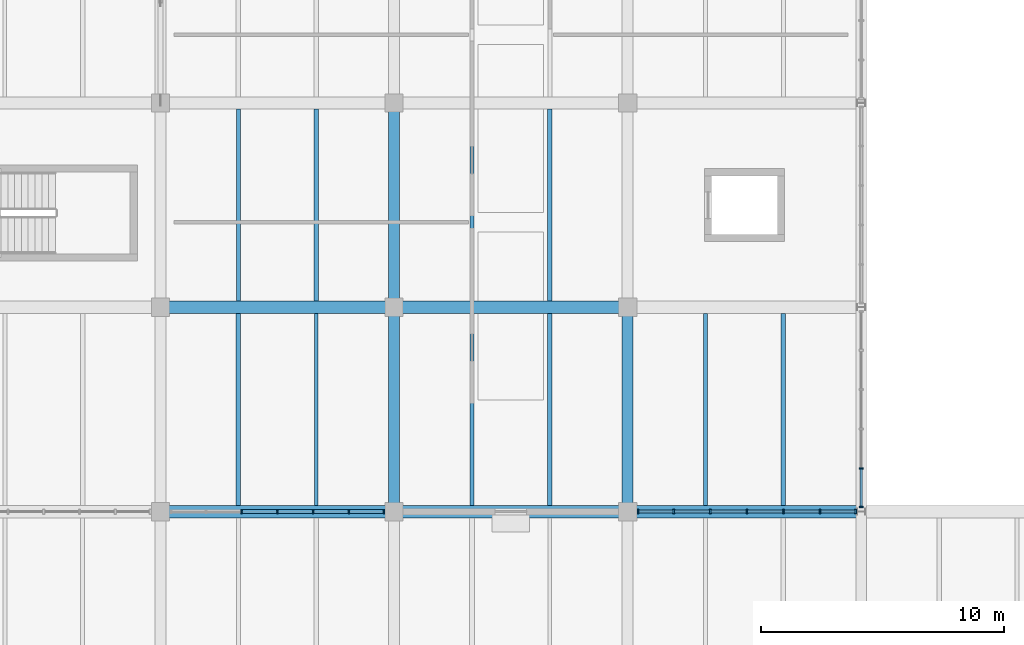
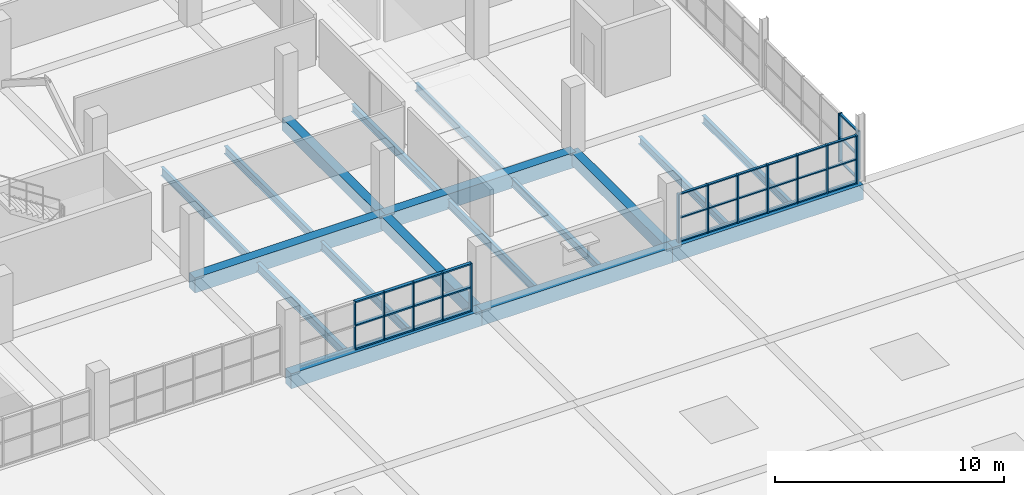
# One storey, part 25 of 147: 47 members, 18 beams, 3 elements without a shape of their own.
"""IFC4 building model written with IfcOpenShell, lengths in metres."""

import ifcopenshell
import ifcopenshell.guid

model = None  # the IFC model being written
_history = None  # IfcOwnerHistory: only IFC2X3 demands one
_inside = {}  # id of a spatial element -> (the spatial element, [elements in it])
_under = {}  # id of a project, library or spatial element -> (it, [spatial elements below it])
_declared = {}  # id of a project -> (the project, [libraries it declares])
_typed = {}  # id of a type object -> (the type object, [elements of that type])
_made_of = {}  # id of a material, layer set ... -> (it, [elements and type objects made of it])


def new_model(schema):
    """Start an empty IFC model of exactly this schema.

    Asked for "IFC4X3", IfcOpenShell would pick the latest addendum, in which some entities
    have other attributes; the version numbers below select the first issue.
    IFC2X3 requires an IfcOwnerHistory on every rooted entity: one is made here for all.
    """
    global model, _history
    if schema == "IFC4X3":
        model = ifcopenshell.file(schema_version=(4, 3, 0, 0))
    else:
        model = ifcopenshell.file(schema=schema)
    _inside.clear()
    _under.clear()
    _declared.clear()
    _typed.clear()
    _made_of.clear()
    _history = None
    if model.schema == "IFC2X3":
        org = make("IfcOrganization", Name="unknown")
        user = make(
            "IfcPersonAndOrganization",
            ThePerson=make("IfcPerson", FamilyName="unknown"),
            TheOrganization=org,
        )
        app = make(
            "IfcApplication",
            ApplicationDeveloper=org,
            Version="unknown",
            ApplicationFullName="unknown",
            ApplicationIdentifier="unknown",
        )
        _history = make(
            "IfcOwnerHistory",
            OwningUser=user,
            OwningApplication=app,
            ChangeAction="ADDED",
            CreationDate=0,
        )
    return model


def make(cls, **values):
    """One entity of the class cls with the attributes given. An attribute that is None is left unset."""
    return model.create_entity(
        cls, **{name: value for name, value in values.items() if value is not None}
    )


def rooted(cls, **values):
    """An entity with a GlobalId (a new one), such as an element, a storey or a relation."""
    return make(cls, GlobalId=ifcopenshell.guid.new(), OwnerHistory=_history, **values)


def si_unit(unit_type, name, prefix=None):
    """IfcSIUnit, for example si_unit("LENGTHUNIT", "METRE", prefix="MILLI")."""
    return make("IfcSIUnit", UnitType=unit_type, Prefix=prefix, Name=name)


def assignment(units):
    """IfcUnitAssignment: the units of a project."""
    return None if units is None else make("IfcUnitAssignment", Units=units)


def point(xyz):
    """IfcCartesianPoint."""
    return None if xyz is None else make("IfcCartesianPoint", Coordinates=xyz)


def direction(xyz):
    """IfcDirection."""
    return None if xyz is None else make("IfcDirection", DirectionRatios=xyz)


def frame(location, z_axis=None, x_axis=None):
    """IfcAxis2Placement3D, a coordinate frame: its origin and axes. An axis left out is left unset."""
    return make(
        "IfcAxis2Placement3D",
        Location=point(location),
        Axis=direction(z_axis),
        RefDirection=direction(x_axis),
    )


def frame_2d(location, x_axis=None):
    """IfcAxis2Placement2D, a coordinate frame in the plane: its origin and x axis."""
    return make(
        "IfcAxis2Placement2D", Location=point(location), RefDirection=direction(x_axis)
    )


def origin():
    """The frame at (0, 0, 0) with its axes left unset."""
    return frame((0.0, 0.0, 0.0))


def origin_2d():
    """The frame at (0, 0) in the plane with its x axis left unset."""
    return frame_2d((0.0, 0.0))


def place(relative_to, where):
    """IfcLocalPlacement: puts the frame where relative to a parent placement (None: the world)."""
    return make(
        "IfcLocalPlacement", PlacementRelTo=relative_to, RelativePlacement=where
    )


def context(
    kind, dimensions, precision=None, world=None, true_north=None, identifier=None
):
    """IfcGeometricRepresentationContext, for example the 3D "Model" context."""
    return make(
        "IfcGeometricRepresentationContext",
        ContextIdentifier=identifier,
        ContextType=kind,
        CoordinateSpaceDimension=dimensions,
        Precision=precision,
        WorldCoordinateSystem=world,
        TrueNorth=true_north,
    )


def subcontext(parent, identifier, kind, view, scale=None):
    """IfcGeometricRepresentationSubContext, for example "Body" below "Model"."""
    return make(
        "IfcGeometricRepresentationSubContext",
        ContextIdentifier=identifier,
        ContextType=kind,
        ParentContext=parent,
        TargetScale=scale,
        TargetView=view,
    )


def project(units=None, contexts=None):
    """IfcProject with its units and contexts."""
    return rooted(
        "IfcProject",
        Name="project",
        RepresentationContexts=contexts,
        UnitsInContext=assignment(units),
    )


def spatial(cls, under=None, at=None, **own):
    """A site, building, storey or space (cls), placed at a placement, below another one or the project."""
    s = rooted(cls, ObjectPlacement=at, **own)
    if under is not None:
        _under.setdefault(under.id(), (under, []))[1].append(s)
    return s


def profile(cls, at=None, kind="AREA", **sizes):
    """A parametric profile (cls). Its sizes go by their IFC names, for example OverallWidth=200.0."""
    return make(cls, ProfileType=kind, Position=at, **sizes)


def rectangle(**sizes):
    """IfcRectangleProfileDef."""
    return profile("IfcRectangleProfileDef", **sizes)


def i_section(**sizes):
    """IfcIShapeProfileDef."""
    return profile("IfcIShapeProfileDef", **sizes)


def extrude(swept, where, along, depth):
    """IfcExtrudedAreaSolid: the profile swept, set in the frame where, extruded along a direction by depth."""
    return make(
        "IfcExtrudedAreaSolid",
        SweptArea=swept,
        Position=where,
        ExtrudedDirection=direction(along),
        Depth=depth,
    )


def shape(context_of_items, identifier, shape_type, items):
    """IfcShapeRepresentation: the items that make up one representation, for example the "Body"."""
    return make(
        "IfcShapeRepresentation",
        ContextOfItems=context_of_items,
        RepresentationIdentifier=identifier,
        RepresentationType=shape_type,
        Items=items,
    )


def material(Name=None, Category=None):
    """IfcMaterial."""
    return make("IfcMaterial", Name=Name, Category=Category)


def material_profile(
    of_material, cross_section, Name=None, Category=None, Priority=None
):
    """IfcMaterialProfile: a cross section and its material."""
    return make(
        "IfcMaterialProfile",
        Name=Name,
        Material=of_material,
        Profile=cross_section,
        Priority=Priority,
        Category=Category,
    )


def profile_set(profiles, Name=None, composite=None):
    """IfcMaterialProfileSet."""
    return make(
        "IfcMaterialProfileSet",
        Name=Name,
        MaterialProfiles=profiles,
        CompositeProfile=composite,
    )


def made_of(thing, what):
    """Note that an element or type object is made of a material, layer set ...; save() writes the relation."""
    if what is not None:
        _made_of.setdefault(what.id(), (what, []))[1].append(thing)
    return thing


def type_object(cls, material=None, **own):
    """A type object (cls), such as IfcWallType, which elements share."""
    return made_of(rooted(cls, **own), material)


def element(
    cls,
    number,
    at=None,
    inside=None,
    cuts=None,
    type_object=None,
    material=None,
    context=None,
    identifier="Body",
    shape_type=None,
    held_by="IfcProductDefinitionShape",
    body=None,
    shapes=None,
    **own,
):
    """One element of the class cls, such as IfcWall. Its Tag is "e" and its number.

    at: its placement. inside: the storey or other place that contains it. cuts: it is an
    opening in that element (IfcRelVoidsElement). A single representation is given by context,
    identifier, shape_type and body (its items); several are given by shapes. held_by: the class
    of the entity that holds the representations. save() writes the other relations.
    """
    e = rooted(cls, Tag="e%d" % number, ObjectPlacement=at, **own)
    if body is not None:
        shapes = [shape(context, identifier, shape_type, body)]
    if shapes is not None:
        e.Representation = make(held_by, Representations=shapes)
    if inside is not None:
        _inside.setdefault(inside.id(), (inside, []))[1].append(e)
    if cuts is not None:
        rooted(
            "IfcRelVoidsElement", RelatingBuildingElement=cuts, RelatedOpeningElement=e
        )
    if type_object is not None:
        _typed.setdefault(type_object.id(), (type_object, []))[1].append(e)
    return made_of(e, material)


def aggregate(whole, parts):
    """IfcRelAggregates: a whole, such as a stair, and the parts it consists of."""
    return rooted("IfcRelAggregates", RelatingObject=whole, RelatedObjects=parts)


def save(model, path):
    """Write the relations noted so far, then the file.

    IfcRelAggregates (storeys below a building ...), IfcRelContainedInSpatialStructure (elements
    in a storey), IfcRelDefinesByType, IfcRelAssociatesMaterial and IfcRelDeclares: one each for
    every whole, place, type object, material and project.
    """
    for whole, parts in _under.values():
        aggregate(whole, parts)
    for where, things in _inside.values():
        rooted(
            "IfcRelContainedInSpatialStructure",
            RelatedElements=things,
            RelatingStructure=where,
        )
    for kind, things in _typed.values():
        rooted("IfcRelDefinesByType", RelatedObjects=things, RelatingType=kind)
    for what, things in _made_of.values():
        rooted("IfcRelAssociatesMaterial", RelatedObjects=things, RelatingMaterial=what)
    for by, libraries in _declared.values():
        rooted("IfcRelDeclares", RelatingContext=by, RelatedDefinitions=libraries)
    model.write(path)


model = new_model("IFC4")

# Units and contexts
model_context = context("Model", 3, precision=1e-05, world=origin(), true_north=direction((0.0, 1.0)))
body_context = subcontext(model_context, "Body", "Model", "MODEL_VIEW")
ifc_project = project(units=[si_unit("LENGTHUNIT", "METRE"), si_unit("AREAUNIT", "SQUARE_METRE"), si_unit("VOLUMEUNIT", "CUBIC_METRE"), si_unit("PLANEANGLEUNIT", "RADIAN"), si_unit("MASSUNIT", "GRAM", prefix="KILO")], contexts=[model_context])

# Site, building, storey
site_placement = place(None, origin())
site = spatial("IfcSite", under=ifc_project, at=site_placement, CompositionType="ELEMENT")
building_placement = place(site_placement, origin())
building = spatial("IfcBuilding", under=site, at=building_placement, Name="Oolite Switchyard Hospital", CompositionType="ELEMENT")
storey_placement = place(building_placement, frame((0.0, 0.0, 9.89990234375)))
storey = spatial("IfcBuildingStorey", under=building, at=storey_placement, Name="L02", CompositionType="ELEMENT", Elevation=9.89990234375)

# Beams
ifc_material_1 = material(Name="Concrete C40/50", Category="concrete")
ifc_material_profile_1 = material_profile(ifc_material_1, rectangle(XDim=0.449951171875, YDim=0.64990234375, at=origin_2d()), Name="RCB450X650")
ifc_profile_set_1 = profile_set([ifc_material_profile_1], Name="Concrete C40/50")
beam_type_1 = type_object("IfcBeamType", Name="BM-RC450X650", PredefinedType="BEAM", material=ifc_profile_set_1)
for number, where, z_axis, x_axis, name in (
    (1, (38.39990234375, 33.60009765625, -0.324951171875), (0.0, 1.0, 0.0), (-1.0, 0.0, 0.0), "L02 Y-Girder 1312"),
    (2, (38.39990234375, 42.0, -0.324951171875), (0.0, 1.0, 0.0), (-1.0, 0.0, 0.0), "L02 Y-Girder 1313"),
    (3, (48.0, 33.60009765625, -0.324951171875), (0.0, 1.0, 0.0), (-1.0, 0.0, 0.0), "L02 Y-Girder 1328"),
):
    element("IfcBeam", number, at=place(storey_placement, frame(where, z_axis=z_axis, x_axis=x_axis)), inside=storey, type_object=beam_type_1, Name=name, PredefinedType="BEAM", context=body_context, shape_type="SweptSolid", body=[
        extrude(rectangle(XDim=0.449951171875, YDim=0.64990234375, at=origin_2d()), origin(), (0.0, 0.0, 1.0), 8.39990234375),
    ])
ifc_material_profile_2 = material_profile(ifc_material_1, rectangle(XDim=0.5, YDim=0.800048828125, at=origin_2d()), Name="RCB500X800")
ifc_profile_set_2 = profile_set([ifc_material_profile_2], Name="Concrete C40/50")
beam_type_2 = type_object("IfcBeamType", Name="BM-RC500X800", PredefinedType="BEAM", material=ifc_profile_set_2)
beam_1_placement = place(storey_placement, frame((28.800048828125, 33.60009765625, -0.39990234375), z_axis=(1.0, 0.0, 0.0), x_axis=(0.0, 1.0, 0.0)))
element("IfcBeam", 4, at=beam_1_placement, inside=storey, type_object=beam_type_2, Name="L02 X-Girder 1037", PredefinedType="BEAM", context=body_context, shape_type="SweptSolid", body=[
    extrude(rectangle(XDim=0.5, YDim=0.800048828125, at=origin_2d()), origin(), (0.0, 0.0, 1.0), 9.599853515625),
])
for number, where, z_axis, x_axis, name in (
    (5, (38.39990234375, 33.60009765625, -0.39990234375), (1.0, 0.0, 0.0), (0.0, 1.0, 0.0), "L02 X-Girder 1038"),
    (6, (48.0, 33.60009765625, -0.39990234375), (1.0, 0.0, 0.0), (0.0, 1.0, 0.0), "L02 X-Girder 1039"),
):
    element("IfcBeam", number, at=place(storey_placement, frame(where, z_axis=z_axis, x_axis=x_axis)), inside=storey, type_object=beam_type_2, Name=name, PredefinedType="BEAM", context=body_context, shape_type="SweptSolid", body=[
        extrude(rectangle(XDim=0.5, YDim=0.800048828125, at=origin_2d()), origin(), (0.0, 0.0, 1.0), 9.60009765625),
    ])
beam_2_placement = place(storey_placement, frame((28.800048828125, 42.0, -0.39990234375), z_axis=(1.0, 0.0, 0.0), x_axis=(0.0, 1.0, 0.0)))
element("IfcBeam", 7, at=beam_2_placement, inside=storey, type_object=beam_type_2, Name="L02 X-Girder 1053", PredefinedType="BEAM", context=body_context, shape_type="SweptSolid", body=[
    extrude(rectangle(XDim=0.5, YDim=0.800048828125, at=origin_2d()), origin(), (0.0, 0.0, 1.0), 9.599853515625),
])
beam_3_placement = place(storey_placement, frame((38.39990234375, 42.0, -0.39990234375), z_axis=(1.0, 0.0, 0.0), x_axis=(0.0, 1.0, 0.0)))
element("IfcBeam", 8, at=beam_3_placement, inside=storey, type_object=beam_type_2, Name="L02 X-Girder 1054", PredefinedType="BEAM", context=body_context, shape_type="SweptSolid", body=[
    extrude(rectangle(XDim=0.5, YDim=0.800048828125, at=origin_2d()), origin(), (0.0, 0.0, 1.0), 9.60009765625),
])
ifc_material_2 = material(Name="Steel ASTM A992 Grade 50", Category="steel")
ifc_material_profile_3 = material_profile(ifc_material_2, i_section(OverallWidth=0.177978515625, OverallDepth=0.403076171875, WebThickness=0.008056640625, FlangeThickness=0.010986328125, at=origin_2d()), Name="W16X36")
ifc_profile_set_3 = profile_set([ifc_material_profile_3], Name="Steel ASTM A992 Grade 50")
beam_type_3 = type_object("IfcBeamType", Name="BM-W16X36", PredefinedType="JOIST", material=ifc_profile_set_3)
for number, where, z_axis, x_axis, name in (
    (9, (44.800048828125, 42.25, -0.4609375), (0.0, 1.0, 0.0), (-1.0, 0.0, 0.0), "L02 Secondary Steel Joist 1633"),
    (10, (54.39990234375, 33.85009765625, -0.4609375), (0.0, 1.0, 0.0), (-1.0, 0.0, 0.0), "L02 Secondary Steel Joist 1661"),
):
    element("IfcBeam", number, at=place(storey_placement, frame(where, z_axis=z_axis, x_axis=x_axis)), inside=storey, type_object=beam_type_3, Name=name, PredefinedType="JOIST", context=body_context, shape_type="SweptSolid", body=[
        extrude(i_section(OverallWidth=0.177978515625, OverallDepth=0.403076171875, WebThickness=0.008056640625, FlangeThickness=0.010986328125, at=origin_2d()), origin(), (0.0, 0.0, 1.0), 7.89990234375),
    ])
ifc_material_profile_4 = material_profile(ifc_material_2, i_section(OverallWidth=0.179931640625, OverallDepth=0.4130859375, WebThickness=0.010009765625, FlangeThickness=0.01611328125, at=origin_2d()), Name="W16X50")
ifc_profile_set_4 = profile_set([ifc_material_profile_4], Name="Steel ASTM A992 Grade 50")
beam_type_4 = type_object("IfcBeamType", Name="BM-W16X50", PredefinedType="JOIST", material=ifc_profile_set_4)
for number, where, z_axis, x_axis, name in (
    (11, (35.199951171875, 42.25, -0.4658203125), (0.0, 1.0, 0.0), (-1.0, 0.0, 0.0), "L02 Secondary Steel Joist 1603"),
    (12, (44.800048828125, 33.85009765625, -0.4658203125), (0.0, 1.0, 0.0), (-1.0, 0.0, 0.0), "L02 Secondary Steel Joist 1631"),
    (13, (41.60009765625, 42.25, -0.4658203125), (0.0, 1.0, 0.0), (-1.0, 0.0, 0.0), "L02 Secondary Steel Joist 1632"),
    (14, (51.199951171875, 33.85009765625, -0.4658203125), (0.0, 1.0, 0.0), (-1.0, 0.0, 0.0), "L02 Secondary Steel Joist 1660"),
):
    element("IfcBeam", number, at=place(storey_placement, frame(where, z_axis=z_axis, x_axis=x_axis)), inside=storey, type_object=beam_type_4, Name=name, PredefinedType="JOIST", context=body_context, shape_type="SweptSolid", body=[
        extrude(i_section(OverallWidth=0.179931640625, OverallDepth=0.4130859375, WebThickness=0.010009765625, FlangeThickness=0.01611328125, at=origin_2d()), origin(), (0.0, 0.0, 1.0), 7.89990234375),
    ])
ifc_material_profile_5 = material_profile(ifc_material_2, i_section(OverallWidth=0.153076171875, OverallDepth=0.455078125, WebThickness=0.008056640625, FlangeThickness=0.012939453125, at=origin_2d()), Name="W18X40")
ifc_profile_set_5 = profile_set([ifc_material_profile_5], Name="Steel ASTM A992 Grade 50")
beam_type_5 = type_object("IfcBeamType", Name="BM-W18X40", PredefinedType="JOIST", material=ifc_profile_set_5)
for number, where, z_axis, x_axis, name in (
    (15, (35.199951171875, 33.85009765625, -0.48681640625), (0.0, 1.0, 0.0), (-1.0, 0.0, 0.0), "L02 Secondary Steel Joist 1601"),
    (16, (32.0, 42.25, -0.48681640625), (0.0, 1.0, 0.0), (-1.0, 0.0, 0.0), "L02 Secondary Steel Joist 1602"),
    (17, (41.60009765625, 33.85009765625, -0.48681640625), (0.0, 1.0, 0.0), (-1.0, 0.0, 0.0), "L02 Secondary Steel Joist 1630"),
):
    element("IfcBeam", number, at=place(storey_placement, frame(where, z_axis=z_axis, x_axis=x_axis)), inside=storey, type_object=beam_type_5, Name=name, PredefinedType="JOIST", context=body_context, shape_type="SweptSolid", body=[
        extrude(i_section(OverallWidth=0.153076171875, OverallDepth=0.455078125, WebThickness=0.008056640625, FlangeThickness=0.012939453125, at=origin_2d()), origin(), (0.0, 0.0, 1.0), 7.89990234375),
    ])
ifc_material_profile_6 = material_profile(ifc_material_2, i_section(OverallWidth=0.19091796875, OverallDepth=0.4599609375, WebThickness=0.010009765625, FlangeThickness=0.01611328125, at=origin_2d()), Name="W18X55")
ifc_profile_set_6 = profile_set([ifc_material_profile_6], Name="Steel ASTM A992 Grade 50")
beam_type_6 = type_object("IfcBeamType", Name="BM-W18X55", PredefinedType="JOIST", material=ifc_profile_set_6)
beam_4_placement = place(storey_placement, frame((32.0, 33.85009765625, -0.489990234375), z_axis=(0.0, 1.0, 0.0), x_axis=(-1.0, 0.0, 0.0)))
element("IfcBeam", 18, at=beam_4_placement, inside=storey, type_object=beam_type_6, Name="L02 Secondary Steel Joist 1600", PredefinedType="JOIST", context=body_context, shape_type="SweptSolid", body=[
    extrude(i_section(OverallWidth=0.19091796875, OverallDepth=0.4599609375, WebThickness=0.010009765625, FlangeThickness=0.01611328125, at=origin_2d()), origin(), (0.0, 0.0, 1.0), 7.89990234375),
])

# Curtain wall, members
ifc_material_3 = material(Name="Thermally broken aluminum frame with laminated impact glazing", Category="aluminium")
curtain_wall_type_1 = type_object("IfcCurtainWallType", Name="CW-UNIT-96X36", PredefinedType="USERDEFINED", material=ifc_material_3)
curtain_wall_1_placement = place(storey_placement, origin())
curtain_wall_1 = element("IfcCurtainWall", 19, at=curtain_wall_1_placement, inside=storey, type_object=curtain_wall_type_1, Name="L02 Unitised Curtain Wall 223", ObjectType="UNITISED", PredefinedType="USERDEFINED")
ifc_material_4 = material(Name="Aluminium 6063-T6", Category="aluminium")
ifc_material_profile_7 = material_profile(ifc_material_4, rectangle(XDim=0.159912109375, YDim=0.06005859375, at=origin_2d()), Name="CWM60X160")
ifc_profile_set_7 = profile_set([ifc_material_profile_7], Name="Aluminium 6063-T6")
member_type_1 = type_object("IfcMemberType", Name="CW-MUL-180", PredefinedType="MULLION", material=ifc_profile_set_7)
member_1_placement = place(storey_placement, frame((37.97998046875, 33.60009765625, 0.0), z_axis=(0.0, 0.0, 1.0), x_axis=(0.0, -1.0, 0.0)))
member_1 = element("IfcMember", 20, at=member_1_placement, type_object=member_type_1, Name="CW-03 mullion 1", PredefinedType="MULLION", context=body_context, shape_type="SweptSolid", body=[
    extrude(rectangle(XDim=0.159912109375, YDim=0.06005859375, at=origin_2d()), origin(), (0.0, 0.0, 1.0), 2.570068359375),
])
member_2_placement = place(storey_placement, frame((36.5400390625, 33.60009765625, 0.0), z_axis=(0.0, 0.0, 1.0), x_axis=(0.0, -1.0, 0.0)))
member_2 = element("IfcMember", 21, at=member_2_placement, type_object=member_type_1, Name="CW-03 mullion 2", PredefinedType="MULLION", context=body_context, shape_type="SweptSolid", body=[
    extrude(rectangle(XDim=0.159912109375, YDim=0.06005859375, at=origin_2d()), origin(), (0.0, 0.0, 1.0), 2.570068359375),
])
member_3_placement = place(storey_placement, frame((35.070068359375, 33.60009765625, 0.0), z_axis=(0.0, 0.0, 1.0), x_axis=(0.0, -1.0, 0.0)))
member_3 = element("IfcMember", 22, at=member_3_placement, type_object=member_type_1, Name="CW-03 mullion 3", PredefinedType="MULLION", context=body_context, shape_type="SweptSolid", body=[
    extrude(rectangle(XDim=0.159912109375, YDim=0.06005859375, at=origin_2d()), origin(), (0.0, 0.0, 1.0), 2.570068359375),
])
member_4_placement = place(storey_placement, frame((33.60009765625, 33.60009765625, 0.0), z_axis=(0.0, 0.0, 1.0), x_axis=(0.0, -1.0, 0.0)))
member_4 = element("IfcMember", 23, at=member_4_placement, type_object=member_type_1, Name="CW-03 mullion 4", PredefinedType="MULLION", context=body_context, shape_type="SweptSolid", body=[
    extrude(rectangle(XDim=0.159912109375, YDim=0.06005859375, at=origin_2d()), origin(), (0.0, 0.0, 1.0), 2.570068359375),
])
member_5_placement = place(storey_placement, frame((32.1298828125, 33.60009765625, 0.0), z_axis=(0.0, 0.0, 1.0), x_axis=(0.0, -1.0, 0.0)))
member_5 = element("IfcMember", 24, at=member_5_placement, type_object=member_type_1, Name="CW-03 mullion 5", PredefinedType="MULLION", context=body_context, shape_type="SweptSolid", body=[
    extrude(rectangle(XDim=0.159912109375, YDim=0.06005859375, at=origin_2d()), origin(), (0.0, 0.0, 1.0), 2.570068359375),
])

curtain_wall_2_placement = place(storey_placement, origin())
curtain_wall_2 = element("IfcCurtainWall", 25, at=curtain_wall_2_placement, inside=storey, type_object=curtain_wall_type_1, Name="L02 Unitised Curtain Wall 224", ObjectType="UNITISED", PredefinedType="USERDEFINED")
ifc_material_profile_8 = material_profile(ifc_material_4, rectangle(XDim=0.179931640625, YDim=0.070068359375, at=origin_2d()), Name="CWM70X180")
ifc_profile_set_8 = profile_set([ifc_material_profile_8], Name="Aluminium 6063-T6")
member_type_2 = type_object("IfcMemberType", Name="CW-MUL-220", PredefinedType="MULLION", material=ifc_profile_set_8)
member_6_placement = place(storey_placement, frame((57.3720703125, 33.60009765625, 0.0), z_axis=(0.0, 0.0, 1.0), x_axis=(0.0, -1.0, 0.0)))
member_6 = element("IfcMember", 26, at=member_6_placement, type_object=member_type_2, Name="CW-03 mullion 1", PredefinedType="MULLION", context=body_context, shape_type="SweptSolid", body=[
    extrude(rectangle(XDim=0.179931640625, YDim=0.070068359375, at=origin_2d()), origin(), (0.0, 0.0, 1.0), 2.570068359375),
])
member_7_placement = place(storey_placement, frame((55.904052734375, 33.60009765625, 0.0), z_axis=(0.0, 0.0, 1.0), x_axis=(0.0, -1.0, 0.0)))
member_7 = element("IfcMember", 27, at=member_7_placement, type_object=member_type_2, Name="CW-03 mullion 2", PredefinedType="MULLION", context=body_context, shape_type="SweptSolid", body=[
    extrude(rectangle(XDim=0.179931640625, YDim=0.070068359375, at=origin_2d()), origin(), (0.0, 0.0, 1.0), 2.570068359375),
])
member_8_placement = place(storey_placement, frame((54.4013671875, 33.60009765625, 0.0), z_axis=(0.0, 0.0, 1.0), x_axis=(0.0, -1.0, 0.0)))
member_8 = element("IfcMember", 28, at=member_8_placement, type_object=member_type_2, Name="CW-03 mullion 3", PredefinedType="MULLION", context=body_context, shape_type="SweptSolid", body=[
    extrude(rectangle(XDim=0.179931640625, YDim=0.070068359375, at=origin_2d()), origin(), (0.0, 0.0, 1.0), 2.570068359375),
])
member_9_placement = place(storey_placement, frame((52.8984375, 33.60009765625, 0.0), z_axis=(0.0, 0.0, 1.0), x_axis=(0.0, -1.0, 0.0)))
member_9 = element("IfcMember", 29, at=member_9_placement, type_object=member_type_2, Name="CW-03 mullion 4", PredefinedType="MULLION", context=body_context, shape_type="SweptSolid", body=[
    extrude(rectangle(XDim=0.179931640625, YDim=0.070068359375, at=origin_2d()), origin(), (0.0, 0.0, 1.0), 2.570068359375),
])
member_10_placement = place(storey_placement, frame((51.395751953125, 33.60009765625, 0.0), z_axis=(0.0, 0.0, 1.0), x_axis=(0.0, -1.0, 0.0)))
member_10 = element("IfcMember", 30, at=member_10_placement, type_object=member_type_2, Name="CW-03 mullion 5", PredefinedType="MULLION", context=body_context, shape_type="SweptSolid", body=[
    extrude(rectangle(XDim=0.179931640625, YDim=0.070068359375, at=origin_2d()), origin(), (0.0, 0.0, 1.0), 2.570068359375),
])
member_11_placement = place(storey_placement, frame((49.892822265625, 33.60009765625, 0.0), z_axis=(0.0, 0.0, 1.0), x_axis=(0.0, -1.0, 0.0)))
member_11 = element("IfcMember", 31, at=member_11_placement, type_object=member_type_2, Name="CW-03 mullion 6", PredefinedType="MULLION", context=body_context, shape_type="SweptSolid", body=[
    extrude(rectangle(XDim=0.179931640625, YDim=0.070068359375, at=origin_2d()), origin(), (0.0, 0.0, 1.0), 2.570068359375),
])
member_12_placement = place(storey_placement, frame((48.425048828125, 33.60009765625, 0.0), z_axis=(0.0, 0.0, 1.0), x_axis=(0.0, -1.0, 0.0)))
member_12 = element("IfcMember", 32, at=member_12_placement, type_object=member_type_2, Name="CW-03 mullion 7", PredefinedType="MULLION", context=body_context, shape_type="SweptSolid", body=[
    extrude(rectangle(XDim=0.179931640625, YDim=0.070068359375, at=origin_2d()), origin(), (0.0, 0.0, 1.0), 2.570068359375),
])

curtain_wall_type_2 = type_object("IfcCurtainWallType", Name="CW-UNIT-84X36", PredefinedType="USERDEFINED", material=ifc_material_3)
curtain_wall_3_placement = place(storey_placement, origin())
curtain_wall_3 = element("IfcCurtainWall", 33, at=curtain_wall_3_placement, inside=storey, type_object=curtain_wall_type_2, Name="L02 Unitised Curtain Wall 284", ObjectType="UNITISED", PredefinedType="USERDEFINED")
member_13_placement = place(storey_placement, frame((57.60009765625, 35.379638671875, 0.0), z_axis=(0.0, 0.0, 1.0), x_axis=(1.0, 0.0, 0.0)))
member_13 = element("IfcMember", 34, at=member_13_placement, type_object=member_type_2, Name="CW-08 mullion 5", PredefinedType="MULLION", context=body_context, shape_type="SweptSolid", body=[
    extrude(rectangle(XDim=0.179931640625, YDim=0.070068359375, at=origin_2d()), origin(), (0.0, 0.0, 1.0), 2.570068359375),
])
member_14_placement = place(storey_placement, frame((57.60009765625, 33.794921875, 0.0), z_axis=(0.0, 0.0, 1.0), x_axis=(1.0, 0.0, 0.0)))
member_14 = element("IfcMember", 35, at=member_14_placement, type_object=member_type_2, Name="CW-08 mullion 6", PredefinedType="MULLION", context=body_context, shape_type="SweptSolid", body=[
    extrude(rectangle(XDim=0.179931640625, YDim=0.070068359375, at=origin_2d()), origin(), (0.0, 0.0, 1.0), 2.570068359375),
])

# Member
ifc_material_profile_9 = material_profile(ifc_material_4, rectangle(XDim=0.1201171875, YDim=0.06005859375, at=origin_2d()), Name="CWT60X120")
ifc_profile_set_9 = profile_set([ifc_material_profile_9], Name="Aluminium 6063-T6")
member_type_3 = type_object("IfcMemberType", Name="CW-TRN-150", PredefinedType="USERDEFINED", material=ifc_profile_set_9)
member_15_placement = place(storey_placement, frame((57.3369140625, 33.60009765625, 0.030029296875), z_axis=(-1.0, 0.0, 0.0), x_axis=(0.0, -1.0, 0.0)))
member_15 = element("IfcMember", 36, at=member_15_placement, type_object=member_type_3, Name="CW-03 transom 1.1", ObjectType="TRANSOM", PredefinedType="USERDEFINED", context=body_context, shape_type="SweptSolid", body=[
    extrude(rectangle(XDim=0.1201171875, YDim=0.06005859375, at=origin_2d()), origin(), (0.0, 0.0, 1.0), 1.397705078125),
])

member_16_placement = place(storey_placement, frame((57.3369140625, 33.60009765625, 1.28515625), z_axis=(-1.0, 0.0, 0.0), x_axis=(0.0, -1.0, 0.0)))
member_16 = element("IfcMember", 37, at=member_16_placement, type_object=member_type_3, Name="CW-03 transom 1.2", ObjectType="TRANSOM", PredefinedType="USERDEFINED", context=body_context, shape_type="SweptSolid", body=[
    extrude(rectangle(XDim=0.1201171875, YDim=0.06005859375, at=origin_2d()), origin(), (0.0, 0.0, 1.0), 1.397705078125),
])

member_17_placement = place(storey_placement, frame((57.3369140625, 33.60009765625, 2.5400390625), z_axis=(-1.0, 0.0, 0.0), x_axis=(0.0, -1.0, 0.0)))
member_17 = element("IfcMember", 38, at=member_17_placement, type_object=member_type_3, Name="CW-03 transom 1.3", ObjectType="TRANSOM", PredefinedType="USERDEFINED", context=body_context, shape_type="SweptSolid", body=[
    extrude(rectangle(XDim=0.1201171875, YDim=0.06005859375, at=origin_2d()), origin(), (0.0, 0.0, 1.0), 1.397705078125),
])

member_18_placement = place(storey_placement, frame((55.869140625, 33.60009765625, 0.030029296875), z_axis=(-1.0, 0.0, 0.0), x_axis=(0.0, -1.0, 0.0)))
member_18 = element("IfcMember", 39, at=member_18_placement, type_object=member_type_3, Name="CW-03 transom 2.1", ObjectType="TRANSOM", PredefinedType="USERDEFINED", context=body_context, shape_type="SweptSolid", body=[
    extrude(rectangle(XDim=0.1201171875, YDim=0.06005859375, at=origin_2d()), origin(), (0.0, 0.0, 1.0), 1.432861328125),
])

member_19_placement = place(storey_placement, frame((55.869140625, 33.60009765625, 1.28515625), z_axis=(-1.0, 0.0, 0.0), x_axis=(0.0, -1.0, 0.0)))
member_19 = element("IfcMember", 40, at=member_19_placement, type_object=member_type_3, Name="CW-03 transom 2.2", ObjectType="TRANSOM", PredefinedType="USERDEFINED", context=body_context, shape_type="SweptSolid", body=[
    extrude(rectangle(XDim=0.1201171875, YDim=0.06005859375, at=origin_2d()), origin(), (0.0, 0.0, 1.0), 1.432861328125),
])

member_20_placement = place(storey_placement, frame((55.869140625, 33.60009765625, 2.5400390625), z_axis=(-1.0, 0.0, 0.0), x_axis=(0.0, -1.0, 0.0)))
member_20 = element("IfcMember", 41, at=member_20_placement, type_object=member_type_3, Name="CW-03 transom 2.3", ObjectType="TRANSOM", PredefinedType="USERDEFINED", context=body_context, shape_type="SweptSolid", body=[
    extrude(rectangle(XDim=0.1201171875, YDim=0.06005859375, at=origin_2d()), origin(), (0.0, 0.0, 1.0), 1.432861328125),
])

member_21_placement = place(storey_placement, frame((54.366455078125, 33.60009765625, 0.030029296875), z_axis=(-1.0, 0.0, 0.0), x_axis=(0.0, -1.0, 0.0)))
member_21 = element("IfcMember", 42, at=member_21_placement, type_object=member_type_3, Name="CW-03 transom 3.1", ObjectType="TRANSOM", PredefinedType="USERDEFINED", context=body_context, shape_type="SweptSolid", body=[
    extrude(rectangle(XDim=0.1201171875, YDim=0.06005859375, at=origin_2d()), origin(), (0.0, 0.0, 1.0), 1.432861328125),
])

member_22_placement = place(storey_placement, frame((54.366455078125, 33.60009765625, 1.28515625), z_axis=(-1.0, 0.0, 0.0), x_axis=(0.0, -1.0, 0.0)))
member_22 = element("IfcMember", 43, at=member_22_placement, type_object=member_type_3, Name="CW-03 transom 3.2", ObjectType="TRANSOM", PredefinedType="USERDEFINED", context=body_context, shape_type="SweptSolid", body=[
    extrude(rectangle(XDim=0.1201171875, YDim=0.06005859375, at=origin_2d()), origin(), (0.0, 0.0, 1.0), 1.432861328125),
])

member_23_placement = place(storey_placement, frame((54.366455078125, 33.60009765625, 2.5400390625), z_axis=(-1.0, 0.0, 0.0), x_axis=(0.0, -1.0, 0.0)))
member_23 = element("IfcMember", 44, at=member_23_placement, type_object=member_type_3, Name="CW-03 transom 3.3", ObjectType="TRANSOM", PredefinedType="USERDEFINED", context=body_context, shape_type="SweptSolid", body=[
    extrude(rectangle(XDim=0.1201171875, YDim=0.06005859375, at=origin_2d()), origin(), (0.0, 0.0, 1.0), 1.432861328125),
])

member_24_placement = place(storey_placement, frame((52.863525390625, 33.60009765625, 0.030029296875), z_axis=(-1.0, 0.0, 0.0), x_axis=(0.0, -1.0, 0.0)))
member_24 = element("IfcMember", 45, at=member_24_placement, type_object=member_type_3, Name="CW-03 transom 4.1", ObjectType="TRANSOM", PredefinedType="USERDEFINED", context=body_context, shape_type="SweptSolid", body=[
    extrude(rectangle(XDim=0.1201171875, YDim=0.06005859375, at=origin_2d()), origin(), (0.0, 0.0, 1.0), 1.432861328125),
])

member_25_placement = place(storey_placement, frame((52.863525390625, 33.60009765625, 1.28515625), z_axis=(-1.0, 0.0, 0.0), x_axis=(0.0, -1.0, 0.0)))
member_25 = element("IfcMember", 46, at=member_25_placement, type_object=member_type_3, Name="CW-03 transom 4.2", ObjectType="TRANSOM", PredefinedType="USERDEFINED", context=body_context, shape_type="SweptSolid", body=[
    extrude(rectangle(XDim=0.1201171875, YDim=0.06005859375, at=origin_2d()), origin(), (0.0, 0.0, 1.0), 1.432861328125),
])

member_26_placement = place(storey_placement, frame((52.863525390625, 33.60009765625, 2.5400390625), z_axis=(-1.0, 0.0, 0.0), x_axis=(0.0, -1.0, 0.0)))
member_26 = element("IfcMember", 47, at=member_26_placement, type_object=member_type_3, Name="CW-03 transom 4.3", ObjectType="TRANSOM", PredefinedType="USERDEFINED", context=body_context, shape_type="SweptSolid", body=[
    extrude(rectangle(XDim=0.1201171875, YDim=0.06005859375, at=origin_2d()), origin(), (0.0, 0.0, 1.0), 1.432861328125),
])

member_27_placement = place(storey_placement, frame((51.360595703125, 33.60009765625, 0.030029296875), z_axis=(-1.0, 0.0, 0.0), x_axis=(0.0, -1.0, 0.0)))
member_27 = element("IfcMember", 48, at=member_27_placement, type_object=member_type_3, Name="CW-03 transom 5.1", ObjectType="TRANSOM", PredefinedType="USERDEFINED", context=body_context, shape_type="SweptSolid", body=[
    extrude(rectangle(XDim=0.1201171875, YDim=0.06005859375, at=origin_2d()), origin(), (0.0, 0.0, 1.0), 1.432861328125),
])

member_28_placement = place(storey_placement, frame((51.360595703125, 33.60009765625, 1.28515625), z_axis=(-1.0, 0.0, 0.0), x_axis=(0.0, -1.0, 0.0)))
member_28 = element("IfcMember", 49, at=member_28_placement, type_object=member_type_3, Name="CW-03 transom 5.2", ObjectType="TRANSOM", PredefinedType="USERDEFINED", context=body_context, shape_type="SweptSolid", body=[
    extrude(rectangle(XDim=0.1201171875, YDim=0.06005859375, at=origin_2d()), origin(), (0.0, 0.0, 1.0), 1.432861328125),
])

member_29_placement = place(storey_placement, frame((51.360595703125, 33.60009765625, 2.5400390625), z_axis=(-1.0, 0.0, 0.0), x_axis=(0.0, -1.0, 0.0)))
member_29 = element("IfcMember", 50, at=member_29_placement, type_object=member_type_3, Name="CW-03 transom 5.3", ObjectType="TRANSOM", PredefinedType="USERDEFINED", context=body_context, shape_type="SweptSolid", body=[
    extrude(rectangle(XDim=0.1201171875, YDim=0.06005859375, at=origin_2d()), origin(), (0.0, 0.0, 1.0), 1.432861328125),
])

member_30_placement = place(storey_placement, frame((49.85791015625, 33.60009765625, 0.030029296875), z_axis=(-1.0, 0.0, 0.0), x_axis=(0.0, -1.0, 0.0)))
member_30 = element("IfcMember", 51, at=member_30_placement, type_object=member_type_3, Name="CW-03 transom 6.1", ObjectType="TRANSOM", PredefinedType="USERDEFINED", context=body_context, shape_type="SweptSolid", body=[
    extrude(rectangle(XDim=0.1201171875, YDim=0.06005859375, at=origin_2d()), origin(), (0.0, 0.0, 1.0), 1.39794921875),
])

member_31_placement = place(storey_placement, frame((49.85791015625, 33.60009765625, 1.28515625), z_axis=(-1.0, 0.0, 0.0), x_axis=(0.0, -1.0, 0.0)))
member_31 = element("IfcMember", 52, at=member_31_placement, type_object=member_type_3, Name="CW-03 transom 6.2", ObjectType="TRANSOM", PredefinedType="USERDEFINED", context=body_context, shape_type="SweptSolid", body=[
    extrude(rectangle(XDim=0.1201171875, YDim=0.06005859375, at=origin_2d()), origin(), (0.0, 0.0, 1.0), 1.39794921875),
])

member_32_placement = place(storey_placement, frame((49.85791015625, 33.60009765625, 2.5400390625), z_axis=(-1.0, 0.0, 0.0), x_axis=(0.0, -1.0, 0.0)))
member_32 = element("IfcMember", 53, at=member_32_placement, type_object=member_type_3, Name="CW-03 transom 6.3", ObjectType="TRANSOM", PredefinedType="USERDEFINED", context=body_context, shape_type="SweptSolid", body=[
    extrude(rectangle(XDim=0.1201171875, YDim=0.06005859375, at=origin_2d()), origin(), (0.0, 0.0, 1.0), 1.39794921875),
])

aggregate(curtain_wall_2, [member_6, member_7, member_8, member_9, member_10, member_11, member_12, member_15, member_16, member_17, member_18, member_19, member_20, member_21, member_22, member_23, member_24, member_25, member_26, member_27, member_28, member_29, member_30, member_31, member_32])

member_33_placement = place(storey_placement, frame((57.60009765625, 35.344482421875, 0.030029296875), z_axis=(0.0, -1.0, 0.0), x_axis=(1.0, 0.0, 0.0)))
member_33 = element("IfcMember", 54, at=member_33_placement, type_object=member_type_3, Name="CW-08 transom 5.1", ObjectType="TRANSOM", PredefinedType="USERDEFINED", context=body_context, shape_type="SweptSolid", body=[
    extrude(rectangle(XDim=0.1201171875, YDim=0.06005859375, at=origin_2d()), origin(), (0.0, 0.0, 1.0), 1.514404296875),
])

member_34_placement = place(storey_placement, frame((57.60009765625, 35.344482421875, 1.28515625), z_axis=(0.0, -1.0, 0.0), x_axis=(1.0, 0.0, 0.0)))
member_34 = element("IfcMember", 55, at=member_34_placement, type_object=member_type_3, Name="CW-08 transom 5.2", ObjectType="TRANSOM", PredefinedType="USERDEFINED", context=body_context, shape_type="SweptSolid", body=[
    extrude(rectangle(XDim=0.1201171875, YDim=0.06005859375, at=origin_2d()), origin(), (0.0, 0.0, 1.0), 1.514404296875),
])

member_35_placement = place(storey_placement, frame((57.60009765625, 35.344482421875, 2.5400390625), z_axis=(0.0, -1.0, 0.0), x_axis=(1.0, 0.0, 0.0)))
member_35 = element("IfcMember", 56, at=member_35_placement, type_object=member_type_3, Name="CW-08 transom 5.3", ObjectType="TRANSOM", PredefinedType="USERDEFINED", context=body_context, shape_type="SweptSolid", body=[
    extrude(rectangle(XDim=0.1201171875, YDim=0.06005859375, at=origin_2d()), origin(), (0.0, 0.0, 1.0), 1.514404296875),
])

aggregate(curtain_wall_3, [member_13, member_14, member_33, member_34, member_35])

ifc_material_profile_10 = material_profile(ifc_material_4, rectangle(XDim=0.159912109375, YDim=0.074951171875, at=origin_2d()), Name="CWT75X160")
ifc_profile_set_10 = profile_set([ifc_material_profile_10], Name="Aluminium 6063-T6")
member_type_4 = type_object("IfcMemberType", Name="CW-TRN-180", PredefinedType="USERDEFINED", material=ifc_profile_set_10)
member_36_placement = place(storey_placement, frame((37.949951171875, 33.60009765625, 0.03759765625), z_axis=(-1.0, 0.0, 0.0), x_axis=(0.0, -1.0, 0.0)))
member_36 = element("IfcMember", 57, at=member_36_placement, type_object=member_type_4, Name="CW-03 transom 1.1", ObjectType="TRANSOM", PredefinedType="USERDEFINED", context=body_context, shape_type="SweptSolid", body=[
    extrude(rectangle(XDim=0.159912109375, YDim=0.074951171875, at=origin_2d()), origin(), (0.0, 0.0, 1.0), 1.3798828125),
])

member_37_placement = place(storey_placement, frame((37.949951171875, 33.60009765625, 1.28515625), z_axis=(-1.0, 0.0, 0.0), x_axis=(0.0, -1.0, 0.0)))
member_37 = element("IfcMember", 58, at=member_37_placement, type_object=member_type_4, Name="CW-03 transom 1.2", ObjectType="TRANSOM", PredefinedType="USERDEFINED", context=body_context, shape_type="SweptSolid", body=[
    extrude(rectangle(XDim=0.159912109375, YDim=0.074951171875, at=origin_2d()), origin(), (0.0, 0.0, 1.0), 1.3798828125),
])

member_38_placement = place(storey_placement, frame((37.949951171875, 33.60009765625, 2.53271484375), z_axis=(-1.0, 0.0, 0.0), x_axis=(0.0, -1.0, 0.0)))
member_38 = element("IfcMember", 59, at=member_38_placement, type_object=member_type_4, Name="CW-03 transom 1.3", ObjectType="TRANSOM", PredefinedType="USERDEFINED", context=body_context, shape_type="SweptSolid", body=[
    extrude(rectangle(XDim=0.159912109375, YDim=0.074951171875, at=origin_2d()), origin(), (0.0, 0.0, 1.0), 1.3798828125),
])

member_39_placement = place(storey_placement, frame((36.510009765625, 33.60009765625, 0.03759765625), z_axis=(-1.0, 0.0, 0.0), x_axis=(0.0, -1.0, 0.0)))
member_39 = element("IfcMember", 60, at=member_39_placement, type_object=member_type_4, Name="CW-03 transom 2.1", ObjectType="TRANSOM", PredefinedType="USERDEFINED", context=body_context, shape_type="SweptSolid", body=[
    extrude(rectangle(XDim=0.159912109375, YDim=0.074951171875, at=origin_2d()), origin(), (0.0, 0.0, 1.0), 1.409912109375),
])

member_40_placement = place(storey_placement, frame((36.510009765625, 33.60009765625, 1.28515625), z_axis=(-1.0, 0.0, 0.0), x_axis=(0.0, -1.0, 0.0)))
member_40 = element("IfcMember", 61, at=member_40_placement, type_object=member_type_4, Name="CW-03 transom 2.2", ObjectType="TRANSOM", PredefinedType="USERDEFINED", context=body_context, shape_type="SweptSolid", body=[
    extrude(rectangle(XDim=0.159912109375, YDim=0.074951171875, at=origin_2d()), origin(), (0.0, 0.0, 1.0), 1.409912109375),
])

member_41_placement = place(storey_placement, frame((36.510009765625, 33.60009765625, 2.53271484375), z_axis=(-1.0, 0.0, 0.0), x_axis=(0.0, -1.0, 0.0)))
member_41 = element("IfcMember", 62, at=member_41_placement, type_object=member_type_4, Name="CW-03 transom 2.3", ObjectType="TRANSOM", PredefinedType="USERDEFINED", context=body_context, shape_type="SweptSolid", body=[
    extrude(rectangle(XDim=0.159912109375, YDim=0.074951171875, at=origin_2d()), origin(), (0.0, 0.0, 1.0), 1.409912109375),
])

member_42_placement = place(storey_placement, frame((35.0400390625, 33.60009765625, 0.03759765625), z_axis=(-1.0, 0.0, 0.0), x_axis=(0.0, -1.0, 0.0)))
member_42 = element("IfcMember", 63, at=member_42_placement, type_object=member_type_4, Name="CW-03 transom 3.1", ObjectType="TRANSOM", PredefinedType="USERDEFINED", context=body_context, shape_type="SweptSolid", body=[
    extrude(rectangle(XDim=0.159912109375, YDim=0.074951171875, at=origin_2d()), origin(), (0.0, 0.0, 1.0), 1.41015625),
])

member_43_placement = place(storey_placement, frame((35.0400390625, 33.60009765625, 1.28515625), z_axis=(-1.0, 0.0, 0.0), x_axis=(0.0, -1.0, 0.0)))
member_43 = element("IfcMember", 64, at=member_43_placement, type_object=member_type_4, Name="CW-03 transom 3.2", ObjectType="TRANSOM", PredefinedType="USERDEFINED", context=body_context, shape_type="SweptSolid", body=[
    extrude(rectangle(XDim=0.159912109375, YDim=0.074951171875, at=origin_2d()), origin(), (0.0, 0.0, 1.0), 1.41015625),
])

member_44_placement = place(storey_placement, frame((35.0400390625, 33.60009765625, 2.53271484375), z_axis=(-1.0, 0.0, 0.0), x_axis=(0.0, -1.0, 0.0)))
member_44 = element("IfcMember", 65, at=member_44_placement, type_object=member_type_4, Name="CW-03 transom 3.3", ObjectType="TRANSOM", PredefinedType="USERDEFINED", context=body_context, shape_type="SweptSolid", body=[
    extrude(rectangle(XDim=0.159912109375, YDim=0.074951171875, at=origin_2d()), origin(), (0.0, 0.0, 1.0), 1.41015625),
])

member_45_placement = place(storey_placement, frame((33.570068359375, 33.60009765625, 0.03759765625), z_axis=(-1.0, 0.0, 0.0), x_axis=(0.0, -1.0, 0.0)))
member_45 = element("IfcMember", 66, at=member_45_placement, type_object=member_type_4, Name="CW-03 transom 4.1", ObjectType="TRANSOM", PredefinedType="USERDEFINED", context=body_context, shape_type="SweptSolid", body=[
    extrude(rectangle(XDim=0.159912109375, YDim=0.074951171875, at=origin_2d()), origin(), (0.0, 0.0, 1.0), 1.41015625),
])

member_46_placement = place(storey_placement, frame((33.570068359375, 33.60009765625, 1.28515625), z_axis=(-1.0, 0.0, 0.0), x_axis=(0.0, -1.0, 0.0)))
member_46 = element("IfcMember", 67, at=member_46_placement, type_object=member_type_4, Name="CW-03 transom 4.2", ObjectType="TRANSOM", PredefinedType="USERDEFINED", context=body_context, shape_type="SweptSolid", body=[
    extrude(rectangle(XDim=0.159912109375, YDim=0.074951171875, at=origin_2d()), origin(), (0.0, 0.0, 1.0), 1.41015625),
])

member_47_placement = place(storey_placement, frame((33.570068359375, 33.60009765625, 2.53271484375), z_axis=(-1.0, 0.0, 0.0), x_axis=(0.0, -1.0, 0.0)))
member_47 = element("IfcMember", 68, at=member_47_placement, type_object=member_type_4, Name="CW-03 transom 4.3", ObjectType="TRANSOM", PredefinedType="USERDEFINED", context=body_context, shape_type="SweptSolid", body=[
    extrude(rectangle(XDim=0.159912109375, YDim=0.074951171875, at=origin_2d()), origin(), (0.0, 0.0, 1.0), 1.41015625),
])

aggregate(curtain_wall_1, [member_1, member_2, member_3, member_4, member_5, member_36, member_37, member_38, member_39, member_40, member_41, member_42, member_43, member_44, member_45, member_46, member_47])

save(model, "model.ifc")
